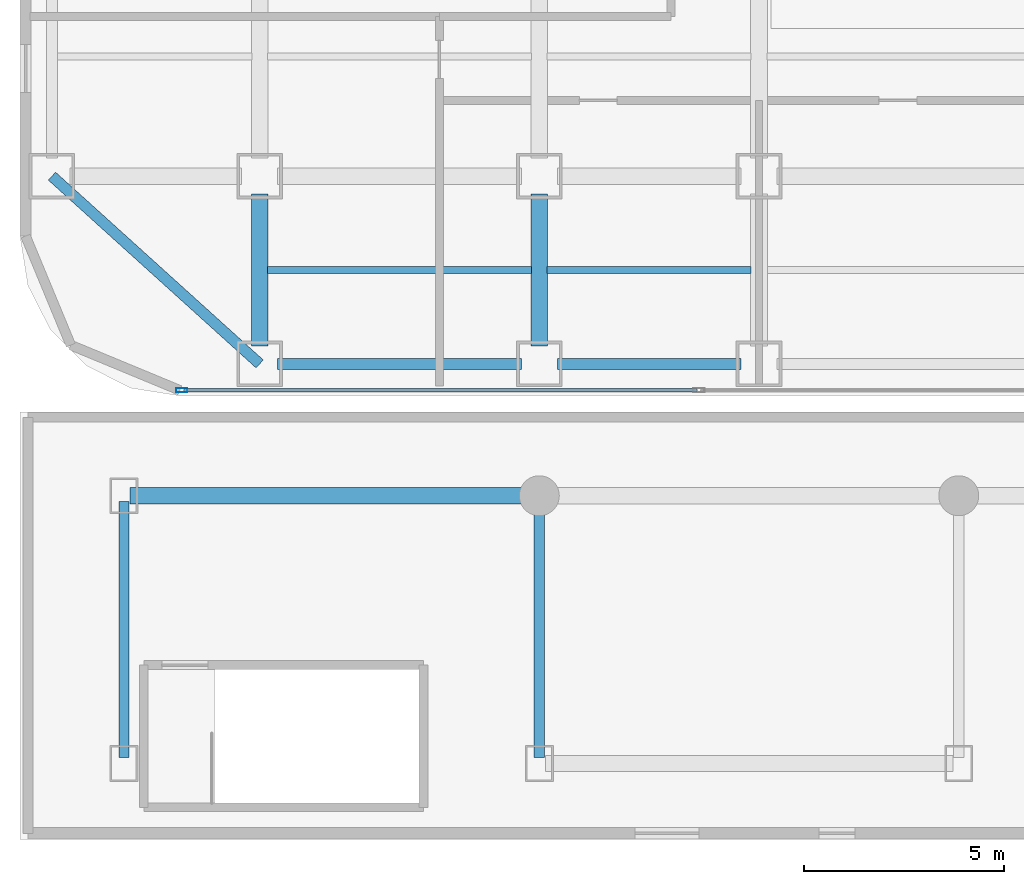
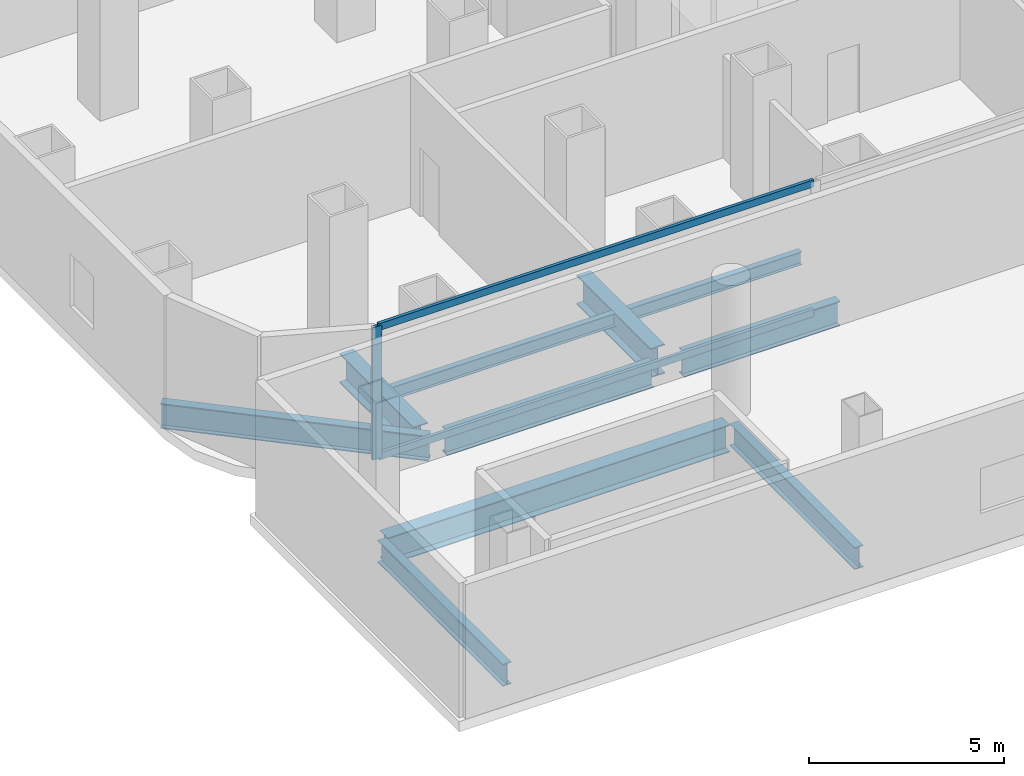
# One storey, part 6 of 28: 10 beams, 3 members, 1 element without a shape of its own.
"""IFC4 building model written with IfcOpenShell, lengths in metres."""

from ifc_helpers import new_model, si_unit, direction, frame, origin, origin_2d, place, context, subcontext, project, spatial, hollow_rectangle, i_section, extrude, source, transform, mapped, material, layer, layer_set, material_profile, profile_set, type_object, element, aggregate, save


model = new_model("IFC4")

# Units and contexts
model_context = context("Model", 3, precision=1e-05, world=origin(), true_north=direction((0.0, 1.0)))
body_context = subcontext(model_context, "Body", "Model", "MODEL_VIEW")
ifc_project = project(units=[si_unit("LENGTHUNIT", "METRE"), si_unit("AREAUNIT", "SQUARE_METRE"), si_unit("VOLUMEUNIT", "CUBIC_METRE"), si_unit("PLANEANGLEUNIT", "RADIAN"), si_unit("MASSUNIT", "GRAM", prefix="KILO")], contexts=[model_context])

# Site, building, storey
site_placement = place(None, origin())
site = spatial("IfcSite", under=ifc_project, at=site_placement, CompositionType="ELEMENT")
building_placement = place(site_placement, origin())
building = spatial("IfcBuilding", under=site, at=building_placement, Name="Kolveth Station Tower", CompositionType="ELEMENT")
storey_placement = place(building_placement, frame((0.0, 0.0, 18.0)))
storey = spatial("IfcBuildingStorey", under=building, at=storey_placement, Name="L04", CompositionType="ELEMENT", Elevation=18.0)

# Beams
ifc_material_1 = material(Name="Steel S355", Category="steel")
ifc_material_profile_1 = material_profile(ifc_material_1, i_section(OverallWidth=0.26904296875, OverallDepth=0.77490234375, WebThickness=0.01708984375, FlangeThickness=0.0283203125, at=origin_2d()), Name="W760x220")
ifc_profile_set_1 = profile_set([ifc_material_profile_1], Name="Steel S355")
beam_type_1 = type_object("IfcBeamType", Name="Beam_SP1", PredefinedType="SPANDREL", material=ifc_profile_set_1)
shared_shape_1 = source(origin(), body_context, "Body", "SweptSolid", [
    extrude(i_section(OverallWidth=0.26904296875, OverallDepth=0.77490234375, WebThickness=0.01708984375, FlangeThickness=0.0283203125, at=origin_2d()), origin(), (0.0, 0.0, 1.0), 6.10009765625),
])
beam_1_placement = place(storey_placement, frame((6.449951171875, 0.800048828125, -0.70751953125), z_axis=(1.0, 0.0, 0.0), x_axis=(0.0, 1.0, 0.0)))
element("IfcBeam", 1, at=beam_1_placement, inside=storey, type_object=beam_type_1, Name="L04 Perimeter Spandrel BM-L04-PS-1", PredefinedType="SPANDREL", context=body_context, shape_type="MappedRepresentation", body=[
    mapped(shared_shape_1, transform((0.0, 0.0, 0.0), x_axis=(1.0, 0.0, 0.0), y_axis=(0.0, 1.0, 0.0), z_axis=(0.0, 0.0, 1.0), scale=1.0)),
])
shared_shape_2 = source(origin(), body_context, "Body", "SweptSolid", [
    extrude(i_section(OverallWidth=0.26904296875, OverallDepth=0.77490234375, WebThickness=0.01708984375, FlangeThickness=0.0283203125, at=origin_2d()), origin(), (0.0, 0.0, 1.0), 4.60009765625),
])
beam_2_placement = place(storey_placement, frame((13.449951171875, 0.800048828125, -0.70751953125), z_axis=(1.0, 0.0, 0.0), x_axis=(0.0, 1.0, 0.0)))
element("IfcBeam", 2, at=beam_2_placement, inside=storey, type_object=beam_type_1, Name="L04 Perimeter Spandrel BM-L04-PS-2", PredefinedType="SPANDREL", context=body_context, shape_type="MappedRepresentation", body=[
    mapped(shared_shape_2, transform((0.0, 0.0, 0.0), x_axis=(1.0, 0.0, 0.0), y_axis=(0.0, 1.0, 0.0), z_axis=(0.0, 0.0, 1.0), scale=1.0)),
])
shared_shape_3 = source(origin(), body_context, "Body", "SweptSolid", [
    extrude(i_section(OverallWidth=0.26904296875, OverallDepth=0.77490234375, WebThickness=0.01708984375, FlangeThickness=0.0283203125, at=origin_2d()), origin(), (0.0, 0.0, 1.0), 7.00927734375),
])
beam_3_placement = place(storey_placement, frame((0.800048828125, 5.5, -0.70751953125), z_axis=(0.741874009795, -0.670539300557, 0.0), x_axis=(0.670539300557, 0.741874009795, 0.0)))
element("IfcBeam", 3, at=beam_3_placement, inside=storey, type_object=beam_type_1, Name="L04 Corner Edge Girder BM-L04-CNR-SW", PredefinedType="SPANDREL", context=body_context, shape_type="MappedRepresentation", body=[
    mapped(shared_shape_3, transform((0.0, 0.0, 0.0), x_axis=(1.0, 0.0, 0.0), y_axis=(0.0, 1.0, 0.0), z_axis=(0.0, 0.0, 1.0), scale=1.0)),
])
ifc_material_profile_2 = material_profile(ifc_material_1, i_section(OverallWidth=0.41796875, OverallDepth=0.912109375, WebThickness=0.019287109375, FlangeThickness=0.031982421875, at=origin_2d()), Name="W920x342")
ifc_profile_set_2 = profile_set([ifc_material_profile_2], Name="Steel S355")
beam_type_2 = type_object("IfcBeamType", Name="Beam_B1", PredefinedType="BEAM", material=ifc_profile_set_2)
shared_shape_4 = source(origin(), body_context, "Body", "SweptSolid", [
    extrude(i_section(OverallWidth=0.41796875, OverallDepth=0.912109375, WebThickness=0.019287109375, FlangeThickness=0.031982421875, at=origin_2d()), origin(), (0.0, 0.0, 1.0), 3.800048828125),
])
for number, where, z_axis, x_axis, name in (
    (4, (6.0, 1.25, -0.77587890625), (0.0, 1.0, 0.0), (-1.0, 0.0, 0.0), "L04 Primary Girder BM-L04-GX60-1"),
    (5, (13.0, 1.25, -0.77587890625), (0.0, 1.0, 0.0), (-1.0, 0.0, 0.0), "L04 Primary Girder BM-L04-GX130-1"),
):
    element("IfcBeam", number, at=place(storey_placement, frame(where, z_axis=z_axis, x_axis=x_axis)), inside=storey, type_object=beam_type_2, Name=name, PredefinedType="BEAM", context=body_context, shape_type="MappedRepresentation", body=[
        mapped(shared_shape_4, transform((0.0, 0.0, 0.0), x_axis=(1.0, 0.0, 0.0), y_axis=(0.0, 1.0, 0.0), z_axis=(0.0, 0.0, 1.0), scale=1.0)),
    ])
ifc_material_profile_3 = material_profile(ifc_material_1, i_section(OverallWidth=0.177978515625, OverallDepth=0.406982421875, WebThickness=0.0078125, FlangeThickness=0.0126953125, at=origin_2d()), Name="W410x60")
ifc_profile_set_3 = profile_set([ifc_material_profile_3], Name="Steel S355")
beam_type_3 = type_object("IfcBeamType", Name="Beam_J1", PredefinedType="JOIST", material=ifc_profile_set_3)
shared_shape_5 = source(origin(), body_context, "Body", "SweptSolid", [
    extrude(i_section(OverallWidth=0.177978515625, OverallDepth=0.406982421875, WebThickness=0.0078125, FlangeThickness=0.0126953125, at=origin_2d()), origin(), (0.0, 0.0, 1.0), 6.60986328125),
])
beam_4_placement = place(storey_placement, frame((6.195068359375, 3.14990234375, -0.5234375), z_axis=(1.0, 0.0, 0.0), x_axis=(0.0, 1.0, 0.0)))
element("IfcBeam", 6, at=beam_4_placement, inside=storey, type_object=beam_type_3, Name="L04 Secondary Joist JST-L04-2-1", PredefinedType="JOIST", context=body_context, shape_type="MappedRepresentation", body=[
    mapped(shared_shape_5, transform((0.0, 0.0, 0.0), x_axis=(1.0, 0.0, 0.0), y_axis=(0.0, 1.0, 0.0), z_axis=(0.0, 0.0, 1.0), scale=1.0)),
])
shared_shape_6 = source(origin(), body_context, "Body", "SweptSolid", [
    extrude(i_section(OverallWidth=0.177978515625, OverallDepth=0.406982421875, WebThickness=0.0078125, FlangeThickness=0.0126953125, at=origin_2d()), origin(), (0.0, 0.0, 1.0), 5.10986328125),
])
beam_5_placement = place(storey_placement, frame((13.195068359375, 3.14990234375, -0.5234375), z_axis=(1.0, 0.0, 0.0), x_axis=(0.0, 1.0, 0.0)))
element("IfcBeam", 7, at=beam_5_placement, inside=storey, type_object=beam_type_3, Name="L04 Secondary Joist JST-L04-3-1", PredefinedType="JOIST", context=body_context, shape_type="MappedRepresentation", body=[
    mapped(shared_shape_6, transform((0.0, 0.0, 0.0), x_axis=(1.0, 0.0, 0.0), y_axis=(0.0, 1.0, 0.0), z_axis=(0.0, 0.0, 1.0), scale=1.0)),
])
ifc_material_profile_4 = material_profile(ifc_material_1, i_section(OverallWidth=0.40087890625, OverallDepth=0.85107421875, WebThickness=0.01611328125, FlangeThickness=0.025390625, at=origin_2d()), Name="W840x226")
ifc_profile_set_4 = profile_set([ifc_material_profile_4], Name="Steel S355")
beam_type_4 = type_object("IfcBeamType", Name="Beam_B2", PredefinedType="BEAM", material=ifc_profile_set_4)
shared_shape_7 = source(origin(), body_context, "Body", "SweptSolid", [
    extrude(i_section(OverallWidth=0.40087890625, OverallDepth=0.85107421875, WebThickness=0.01611328125, FlangeThickness=0.025390625, at=origin_2d()), origin(), (0.0, 0.0, 1.0), 10.10009765625),
])
beam_6_placement = place(storey_placement, frame((2.75, -2.5, -0.74560546875), z_axis=(1.0, 0.0, 0.0), x_axis=(0.0, 1.0, 0.0)))
element("IfcBeam", 8, at=beam_6_placement, inside=storey, type_object=beam_type_4, Name="L04 Station Concourse Girder SBM-L04-SL2-1", PredefinedType="BEAM", context=body_context, shape_type="MappedRepresentation", body=[
    mapped(shared_shape_7, transform((0.0, 0.0, 0.0), x_axis=(1.0, 0.0, 0.0), y_axis=(0.0, 1.0, 0.0), z_axis=(0.0, 0.0, 1.0), scale=1.0)),
])
ifc_material_profile_5 = material_profile(ifc_material_1, i_section(OverallWidth=0.25390625, OverallDepth=0.68798828125, WebThickness=0.01318359375, FlangeThickness=0.02099609375, at=origin_2d()), Name="W690x152")
ifc_profile_set_5 = profile_set([ifc_material_profile_5], Name="Steel S355")
beam_type_5 = type_object("IfcBeamType", Name="Beam_B4", PredefinedType="BEAM", material=ifc_profile_set_5)
shared_shape_8 = source(origin(), body_context, "Body", "SweptSolid", [
    extrude(i_section(OverallWidth=0.25390625, OverallDepth=0.68798828125, WebThickness=0.01318359375, FlangeThickness=0.02099609375, at=origin_2d()), origin(), (0.0, 0.0, 1.0), 6.400146484375),
])
for number, where, z_axis, x_axis, name in (
    (9, (2.60009765625, -9.050048828125, -0.6640625), (0.0, 1.0, 0.0), (-1.0, 0.0, 0.0), "L04 Station Transverse Beam SBM-L04-ST-1"),
    (10, (13.0, -9.050048828125, -0.6640625), (0.0, 1.0, 0.0), (-1.0, 0.0, 0.0), "L04 Station Transverse Beam SBM-L04-ST-2"),
):
    element("IfcBeam", number, at=place(storey_placement, frame(where, z_axis=z_axis, x_axis=x_axis)), inside=storey, type_object=beam_type_5, Name=name, PredefinedType="BEAM", context=body_context, shape_type="MappedRepresentation", body=[
        mapped(shared_shape_8, transform((0.0, 0.0, 0.0), x_axis=(1.0, 0.0, 0.0), y_axis=(0.0, 1.0, 0.0), z_axis=(0.0, 0.0, 1.0), scale=1.0)),
    ])

# Curtain wall, members
ifc_material_2 = material(Name="Black anodized aluminium 6063-T6 and clear station glass", Category="aluminium")
ifc_layer = layer(ifc_material_2, 0.239990234375)
ifc_layer_set = layer_set([ifc_layer], Name="Black anodized aluminium 6063-T6 and clear station glass")
curtain_wall_type = type_object("IfcCurtainWallType", Name="CurtainWall_CW-ST", PredefinedType="NOTDEFINED", material=ifc_layer_set)
curtain_wall_placement = place(storey_placement, origin())
curtain_wall = element("IfcCurtainWall", 11, at=curtain_wall_placement, inside=storey, type_object=curtain_wall_type, Name="L04 Tower Podium South Storefront Curtain Wall", PredefinedType="NOTDEFINED")
ifc_material_3 = material(Name="Black anodized aluminium 6063-T6", Category="aluminium")
ifc_material_profile_6 = material_profile(ifc_material_3, hollow_rectangle(XDim=0.094970703125, YDim=0.219970703125, WallThickness=0.0048828125, at=origin_2d()), Name="ALU-95x220x5")
ifc_profile_set_6 = profile_set([ifc_material_profile_6], Name="Black anodized aluminium 6063-T6")
member_type_1 = type_object("IfcMemberType", Name="Transom_TR-ST", PredefinedType="USERDEFINED", material=ifc_profile_set_6)
shared_shape_9 = source(origin(), body_context, "Body", "SweptSolid", [
    extrude(hollow_rectangle(XDim=0.094970703125, YDim=0.219970703125, WallThickness=0.0048828125, at=origin_2d()), origin(), (0.0, 0.0, 1.0), 12.849853515625),
])
member_1_placement = place(storey_placement, frame((4.10009765625, 0.139892578125, 0.047607421875), z_axis=(1.0, 0.0, 0.0), x_axis=(0.0, 1.0, 0.0)))
member_1 = element("IfcMember", 12, at=member_1_placement, type_object=member_type_1, Name="CW-ST transom 1.1", ObjectType="TRANSOM", PredefinedType="USERDEFINED", context=body_context, shape_type="MappedRepresentation", body=[
    mapped(shared_shape_9, transform((0.0, 0.0, 0.0), x_axis=(1.0, 0.0, 0.0), y_axis=(0.0, 1.0, 0.0), z_axis=(0.0, 0.0, 1.0), scale=1.0)),
])
member_2_placement = place(storey_placement, frame((4.10009765625, 0.139892578125, 4.092529296875), z_axis=(1.0, 0.0, 0.0), x_axis=(0.0, 1.0, 0.0)))
member_2 = element("IfcMember", 13, at=member_2_placement, type_object=member_type_1, Name="CW-ST transom 1.2", ObjectType="TRANSOM", PredefinedType="USERDEFINED", context=body_context, shape_type="MappedRepresentation", body=[
    mapped(shared_shape_9, transform((0.0, 0.0, 0.0), x_axis=(1.0, 0.0, 0.0), y_axis=(0.0, 1.0, 0.0), z_axis=(0.0, 0.0, 1.0), scale=1.0)),
])
ifc_material_profile_7 = material_profile(ifc_material_3, hollow_rectangle(XDim=0.10009765625, YDim=0.280029296875, WallThickness=0.0048828125, at=origin_2d()), Name="ALU-100x280x5")
ifc_profile_set_7 = profile_set([ifc_material_profile_7], Name="Black anodized aluminium 6063-T6")
member_type_2 = type_object("IfcMemberType", Name="Mullion_ML-ST", PredefinedType="MULLION", material=ifc_profile_set_7)
shared_shape_10 = source(origin(), body_context, "Body", "SweptSolid", [
    extrude(hollow_rectangle(XDim=0.10009765625, YDim=0.280029296875, WallThickness=0.0048828125, at=origin_2d()), origin(), (0.0, 0.0, 1.0), 4.139892578125),
])
member_3_placement = place(storey_placement, frame((4.050048828125, 0.139892578125, 0.0), z_axis=(0.0, 0.0, 1.0), x_axis=(0.0, 1.0, 0.0)))
member_3 = element("IfcMember", 14, at=member_3_placement, type_object=member_type_2, Name="CW-ST mullion 1", PredefinedType="MULLION", context=body_context, shape_type="MappedRepresentation", body=[
    mapped(shared_shape_10, transform((0.0, 0.0, 0.0), x_axis=(1.0, 0.0, 0.0), y_axis=(0.0, 1.0, 0.0), z_axis=(0.0, 0.0, 1.0), scale=1.0)),
])
aggregate(curtain_wall, [member_3, member_1, member_2])

save(model, "model.ifc")
